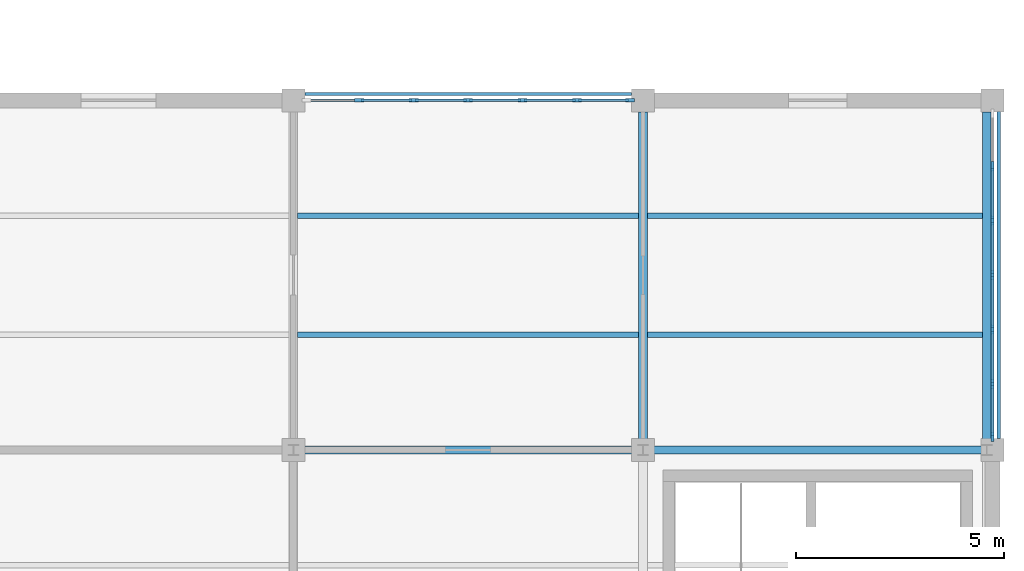
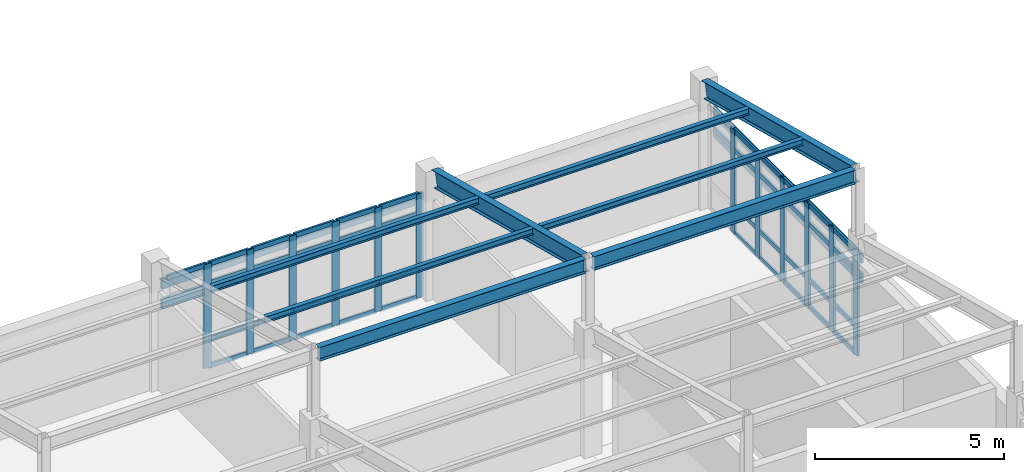
# One storey, part 43 of 74: 61 members, 4 beams, 2 elements without a shape of their own.
"""IFC4 building model written with IfcOpenShell, lengths in metres."""

import ifcopenshell
import ifcopenshell.guid

model = None  # the IFC model being written
_history = None  # IfcOwnerHistory: only IFC2X3 demands one
_inside = {}  # id of a spatial element -> (the spatial element, [elements in it])
_under = {}  # id of a project, library or spatial element -> (it, [spatial elements below it])
_declared = {}  # id of a project -> (the project, [libraries it declares])
_typed = {}  # id of a type object -> (the type object, [elements of that type])
_made_of = {}  # id of a material, layer set ... -> (it, [elements and type objects made of it])


def new_model(schema):
    """Start an empty IFC model of exactly this schema.

    Asked for "IFC4X3", IfcOpenShell would pick the latest addendum, in which some entities
    have other attributes; the version numbers below select the first issue.
    IFC2X3 requires an IfcOwnerHistory on every rooted entity: one is made here for all.
    """
    global model, _history
    if schema == "IFC4X3":
        model = ifcopenshell.file(schema_version=(4, 3, 0, 0))
    else:
        model = ifcopenshell.file(schema=schema)
    _inside.clear()
    _under.clear()
    _declared.clear()
    _typed.clear()
    _made_of.clear()
    _history = None
    if model.schema == "IFC2X3":
        org = make("IfcOrganization", Name="unknown")
        user = make(
            "IfcPersonAndOrganization",
            ThePerson=make("IfcPerson", FamilyName="unknown"),
            TheOrganization=org,
        )
        app = make(
            "IfcApplication",
            ApplicationDeveloper=org,
            Version="unknown",
            ApplicationFullName="unknown",
            ApplicationIdentifier="unknown",
        )
        _history = make(
            "IfcOwnerHistory",
            OwningUser=user,
            OwningApplication=app,
            ChangeAction="ADDED",
            CreationDate=0,
        )
    return model


def make(cls, **values):
    """One entity of the class cls with the attributes given. An attribute that is None is left unset."""
    return model.create_entity(
        cls, **{name: value for name, value in values.items() if value is not None}
    )


def rooted(cls, **values):
    """An entity with a GlobalId (a new one), such as an element, a storey or a relation."""
    return make(cls, GlobalId=ifcopenshell.guid.new(), OwnerHistory=_history, **values)


def si_unit(unit_type, name, prefix=None):
    """IfcSIUnit, for example si_unit("LENGTHUNIT", "METRE", prefix="MILLI")."""
    return make("IfcSIUnit", UnitType=unit_type, Prefix=prefix, Name=name)


def assignment(units):
    """IfcUnitAssignment: the units of a project."""
    return None if units is None else make("IfcUnitAssignment", Units=units)


def point(xyz):
    """IfcCartesianPoint."""
    return None if xyz is None else make("IfcCartesianPoint", Coordinates=xyz)


def direction(xyz):
    """IfcDirection."""
    return None if xyz is None else make("IfcDirection", DirectionRatios=xyz)


def frame(location, z_axis=None, x_axis=None):
    """IfcAxis2Placement3D, a coordinate frame: its origin and axes. An axis left out is left unset."""
    return make(
        "IfcAxis2Placement3D",
        Location=point(location),
        Axis=direction(z_axis),
        RefDirection=direction(x_axis),
    )


def frame_2d(location, x_axis=None):
    """IfcAxis2Placement2D, a coordinate frame in the plane: its origin and x axis."""
    return make(
        "IfcAxis2Placement2D", Location=point(location), RefDirection=direction(x_axis)
    )


def origin():
    """The frame at (0, 0, 0) with its axes left unset."""
    return frame((0.0, 0.0, 0.0))


def origin_2d():
    """The frame at (0, 0) in the plane with its x axis left unset."""
    return frame_2d((0.0, 0.0))


def place(relative_to, where):
    """IfcLocalPlacement: puts the frame where relative to a parent placement (None: the world)."""
    return make(
        "IfcLocalPlacement", PlacementRelTo=relative_to, RelativePlacement=where
    )


def context(
    kind, dimensions, precision=None, world=None, true_north=None, identifier=None
):
    """IfcGeometricRepresentationContext, for example the 3D "Model" context."""
    return make(
        "IfcGeometricRepresentationContext",
        ContextIdentifier=identifier,
        ContextType=kind,
        CoordinateSpaceDimension=dimensions,
        Precision=precision,
        WorldCoordinateSystem=world,
        TrueNorth=true_north,
    )


def subcontext(parent, identifier, kind, view, scale=None):
    """IfcGeometricRepresentationSubContext, for example "Body" below "Model"."""
    return make(
        "IfcGeometricRepresentationSubContext",
        ContextIdentifier=identifier,
        ContextType=kind,
        ParentContext=parent,
        TargetScale=scale,
        TargetView=view,
    )


def project(units=None, contexts=None):
    """IfcProject with its units and contexts."""
    return rooted(
        "IfcProject",
        Name="project",
        RepresentationContexts=contexts,
        UnitsInContext=assignment(units),
    )


def spatial(cls, under=None, at=None, **own):
    """A site, building, storey or space (cls), placed at a placement, below another one or the project."""
    s = rooted(cls, ObjectPlacement=at, **own)
    if under is not None:
        _under.setdefault(under.id(), (under, []))[1].append(s)
    return s


def profile(cls, at=None, kind="AREA", **sizes):
    """A parametric profile (cls). Its sizes go by their IFC names, for example OverallWidth=200.0."""
    return make(cls, ProfileType=kind, Position=at, **sizes)


def rectangle(**sizes):
    """IfcRectangleProfileDef."""
    return profile("IfcRectangleProfileDef", **sizes)


def i_section(**sizes):
    """IfcIShapeProfileDef."""
    return profile("IfcIShapeProfileDef", **sizes)


def extrude(swept, where, along, depth):
    """IfcExtrudedAreaSolid: the profile swept, set in the frame where, extruded along a direction by depth."""
    return make(
        "IfcExtrudedAreaSolid",
        SweptArea=swept,
        Position=where,
        ExtrudedDirection=direction(along),
        Depth=depth,
    )


def shape(context_of_items, identifier, shape_type, items):
    """IfcShapeRepresentation: the items that make up one representation, for example the "Body"."""
    return make(
        "IfcShapeRepresentation",
        ContextOfItems=context_of_items,
        RepresentationIdentifier=identifier,
        RepresentationType=shape_type,
        Items=items,
    )


def material(Name=None, Category=None):
    """IfcMaterial."""
    return make("IfcMaterial", Name=Name, Category=Category)


def layer(
    of_material, thickness, ventilated=None, Name=None, Category=None, Priority=None
):
    """IfcMaterialLayer: one layer of a wall or slab, of a material (None: an air gap)."""
    return make(
        "IfcMaterialLayer",
        Material=of_material,
        LayerThickness=thickness,
        IsVentilated=ventilated,
        Name=Name,
        Category=Category,
        Priority=Priority,
    )


def layer_set(layers, Name=None):
    """IfcMaterialLayerSet."""
    return make("IfcMaterialLayerSet", MaterialLayers=layers, LayerSetName=Name)


def material_profile(
    of_material, cross_section, Name=None, Category=None, Priority=None
):
    """IfcMaterialProfile: a cross section and its material."""
    return make(
        "IfcMaterialProfile",
        Name=Name,
        Material=of_material,
        Profile=cross_section,
        Priority=Priority,
        Category=Category,
    )


def profile_set(profiles, Name=None, composite=None):
    """IfcMaterialProfileSet."""
    return make(
        "IfcMaterialProfileSet",
        Name=Name,
        MaterialProfiles=profiles,
        CompositeProfile=composite,
    )


def made_of(thing, what):
    """Note that an element or type object is made of a material, layer set ...; save() writes the relation."""
    if what is not None:
        _made_of.setdefault(what.id(), (what, []))[1].append(thing)
    return thing


def type_object(cls, material=None, **own):
    """A type object (cls), such as IfcWallType, which elements share."""
    return made_of(rooted(cls, **own), material)


def element(
    cls,
    number,
    at=None,
    inside=None,
    cuts=None,
    type_object=None,
    material=None,
    context=None,
    identifier="Body",
    shape_type=None,
    held_by="IfcProductDefinitionShape",
    body=None,
    shapes=None,
    **own,
):
    """One element of the class cls, such as IfcWall. Its Tag is "e" and its number.

    at: its placement. inside: the storey or other place that contains it. cuts: it is an
    opening in that element (IfcRelVoidsElement). A single representation is given by context,
    identifier, shape_type and body (its items); several are given by shapes. held_by: the class
    of the entity that holds the representations. save() writes the other relations.
    """
    e = rooted(cls, Tag="e%d" % number, ObjectPlacement=at, **own)
    if body is not None:
        shapes = [shape(context, identifier, shape_type, body)]
    if shapes is not None:
        e.Representation = make(held_by, Representations=shapes)
    if inside is not None:
        _inside.setdefault(inside.id(), (inside, []))[1].append(e)
    if cuts is not None:
        rooted(
            "IfcRelVoidsElement", RelatingBuildingElement=cuts, RelatedOpeningElement=e
        )
    if type_object is not None:
        _typed.setdefault(type_object.id(), (type_object, []))[1].append(e)
    return made_of(e, material)


def aggregate(whole, parts):
    """IfcRelAggregates: a whole, such as a stair, and the parts it consists of."""
    return rooted("IfcRelAggregates", RelatingObject=whole, RelatedObjects=parts)


def save(model, path):
    """Write the relations noted so far, then the file.

    IfcRelAggregates (storeys below a building ...), IfcRelContainedInSpatialStructure (elements
    in a storey), IfcRelDefinesByType, IfcRelAssociatesMaterial and IfcRelDeclares: one each for
    every whole, place, type object, material and project.
    """
    for whole, parts in _under.values():
        aggregate(whole, parts)
    for where, things in _inside.values():
        rooted(
            "IfcRelContainedInSpatialStructure",
            RelatedElements=things,
            RelatingStructure=where,
        )
    for kind, things in _typed.values():
        rooted("IfcRelDefinesByType", RelatedObjects=things, RelatingType=kind)
    for what, things in _made_of.values():
        rooted("IfcRelAssociatesMaterial", RelatedObjects=things, RelatingMaterial=what)
    for by, libraries in _declared.values():
        rooted("IfcRelDeclares", RelatingContext=by, RelatedDefinitions=libraries)
    model.write(path)


model = new_model("IFC4")

# Units and contexts
model_context = context("Model", 3, precision=1e-05, world=origin(), true_north=direction((0.0, 1.0)))
body_context = subcontext(model_context, "Body", "Model", "MODEL_VIEW")
ifc_project = project(units=[si_unit("LENGTHUNIT", "METRE"), si_unit("AREAUNIT", "SQUARE_METRE"), si_unit("VOLUMEUNIT", "CUBIC_METRE"), si_unit("PLANEANGLEUNIT", "RADIAN"), si_unit("MASSUNIT", "GRAM", prefix="KILO")], contexts=[model_context])

# Site, building, storey
site_placement = place(None, origin())
site = spatial("IfcSite", under=ifc_project, at=site_placement, CompositionType="ELEMENT")
building_placement = place(site_placement, origin())
building = spatial("IfcBuilding", under=site, at=building_placement, Name="Porcellanite Civic Hall", CompositionType="ELEMENT")
storey_placement = place(building_placement, frame((0.0, 0.0, 14.760009765625)))
storey = spatial("IfcBuildingStorey", under=building, at=storey_placement, Name="L03", CompositionType="ELEMENT", Elevation=14.760009765625)

# Curtain wall, members
ifc_material_1 = material(Name="Anodised aluminium and solar laminated glass", Category="aluminium")
ifc_layer = layer(ifc_material_1, 0.179931640625)
ifc_layer_set = layer_set([ifc_layer], Name="Anodised aluminium and solar laminated glass")
curtain_wall_type = type_object("IfcCurtainWallType", Name="CW-SYS02", PredefinedType="NOTDEFINED", material=ifc_layer_set)
curtain_wall_1_placement = place(storey_placement, origin())
curtain_wall_1 = element("IfcCurtainWall", 1, at=curtain_wall_1_placement, inside=storey, type_object=curtain_wall_type, Name="Curtain wall CW-227", PredefinedType="NOTDEFINED")
ifc_material_2 = material(Name="Anodised aluminium 6063-T6", Category="aluminium")
ifc_material_profile_1 = material_profile(ifc_material_2, rectangle(XDim=0.074951171875, YDim=0.219970703125, at=origin_2d()), Name="AL-75x220")
ifc_profile_set_1 = profile_set([ifc_material_profile_1], Name="Anodised aluminium 6063-T6")
member_type_1 = type_object("IfcMemberType", Name="CWM-03", PredefinedType="MULLION", material=ifc_profile_set_1)
member_1_placement = place(storey_placement, frame((152.783935546875, 67.199951171875, 0.0), z_axis=(0.0, 0.0, 1.0), x_axis=(0.0, 1.0, 0.0)))
member_1 = element("IfcMember", 2, at=member_1_placement, type_object=member_type_1, Name="CW-227 mullion 2", PredefinedType="MULLION", context=body_context, shape_type="SweptSolid", body=[
    extrude(rectangle(XDim=0.074951171875, YDim=0.219970703125, at=origin_2d()), origin(), (0.0, 0.0, 1.0), 3.369873046875),
])
member_2_placement = place(storey_placement, frame((154.092041015625, 67.199951171875, 0.0), z_axis=(0.0, 0.0, 1.0), x_axis=(0.0, 1.0, 0.0)))
member_2 = element("IfcMember", 3, at=member_2_placement, type_object=member_type_1, Name="CW-227 mullion 3", PredefinedType="MULLION", context=body_context, shape_type="SweptSolid", body=[
    extrude(rectangle(XDim=0.074951171875, YDim=0.219970703125, at=origin_2d()), origin(), (0.0, 0.0, 1.0), 3.369873046875),
])
member_3_placement = place(storey_placement, frame((155.39990234375, 67.199951171875, 0.0), z_axis=(0.0, 0.0, 1.0), x_axis=(0.0, 1.0, 0.0)))
member_3 = element("IfcMember", 4, at=member_3_placement, type_object=member_type_1, Name="CW-227 mullion 4", PredefinedType="MULLION", context=body_context, shape_type="SweptSolid", body=[
    extrude(rectangle(XDim=0.074951171875, YDim=0.219970703125, at=origin_2d()), origin(), (0.0, 0.0, 1.0), 3.369873046875),
])
member_4_placement = place(storey_placement, frame((156.7080078125, 67.199951171875, 0.0), z_axis=(0.0, 0.0, 1.0), x_axis=(0.0, 1.0, 0.0)))
member_4 = element("IfcMember", 5, at=member_4_placement, type_object=member_type_1, Name="CW-227 mullion 5", PredefinedType="MULLION", context=body_context, shape_type="SweptSolid", body=[
    extrude(rectangle(XDim=0.074951171875, YDim=0.219970703125, at=origin_2d()), origin(), (0.0, 0.0, 1.0), 3.369873046875),
])
member_5_placement = place(storey_placement, frame((158.01611328125, 67.199951171875, 0.0), z_axis=(0.0, 0.0, 1.0), x_axis=(0.0, 1.0, 0.0)))
member_5 = element("IfcMember", 6, at=member_5_placement, type_object=member_type_1, Name="CW-227 mullion 6", PredefinedType="MULLION", context=body_context, shape_type="SweptSolid", body=[
    extrude(rectangle(XDim=0.074951171875, YDim=0.219970703125, at=origin_2d()), origin(), (0.0, 0.0, 1.0), 3.369873046875),
])
member_6_placement = place(storey_placement, frame((159.28662109375, 67.199951171875, 0.0), z_axis=(0.0, 0.0, 1.0), x_axis=(0.0, 1.0, 0.0)))
member_6 = element("IfcMember", 7, at=member_6_placement, type_object=member_type_1, Name="CW-227 mullion 7", PredefinedType="MULLION", context=body_context, shape_type="SweptSolid", body=[
    extrude(rectangle(XDim=0.074951171875, YDim=0.219970703125, at=origin_2d()), origin(), (0.0, 0.0, 1.0), 3.369873046875),
])

curtain_wall_2_placement = place(storey_placement, origin())
curtain_wall_2 = element("IfcCurtainWall", 8, at=curtain_wall_2_placement, inside=storey, type_object=curtain_wall_type, Name="Curtain wall CW-228", PredefinedType="NOTDEFINED")
member_7_placement = place(storey_placement, frame((168.0, 65.615966796875, 0.0), z_axis=(0.0, 0.0, 1.0), x_axis=(1.0, 0.0, 0.0)))
member_7 = element("IfcMember", 9, at=member_7_placement, type_object=member_type_1, Name="CW-228 mullion 2", PredefinedType="MULLION", context=body_context, shape_type="SweptSolid", body=[
    extrude(rectangle(XDim=0.074951171875, YDim=0.219970703125, at=origin_2d()), origin(), (0.0, 0.0, 1.0), 3.369873046875),
])
member_8_placement = place(storey_placement, frame((168.0, 64.30810546875, 0.0), z_axis=(0.0, 0.0, 1.0), x_axis=(1.0, 0.0, 0.0)))
member_8 = element("IfcMember", 10, at=member_8_placement, type_object=member_type_1, Name="CW-228 mullion 3", PredefinedType="MULLION", context=body_context, shape_type="SweptSolid", body=[
    extrude(rectangle(XDim=0.074951171875, YDim=0.219970703125, at=origin_2d()), origin(), (0.0, 0.0, 1.0), 3.369873046875),
])
member_9_placement = place(storey_placement, frame((168.0, 63.0, 0.0), z_axis=(0.0, 0.0, 1.0), x_axis=(1.0, 0.0, 0.0)))
member_9 = element("IfcMember", 11, at=member_9_placement, type_object=member_type_1, Name="CW-228 mullion 4", PredefinedType="MULLION", context=body_context, shape_type="SweptSolid", body=[
    extrude(rectangle(XDim=0.074951171875, YDim=0.219970703125, at=origin_2d()), origin(), (0.0, 0.0, 1.0), 3.369873046875),
])
member_10_placement = place(storey_placement, frame((168.0, 61.69189453125, 0.0), z_axis=(0.0, 0.0, 1.0), x_axis=(1.0, 0.0, 0.0)))
member_10 = element("IfcMember", 12, at=member_10_placement, type_object=member_type_1, Name="CW-228 mullion 5", PredefinedType="MULLION", context=body_context, shape_type="SweptSolid", body=[
    extrude(rectangle(XDim=0.074951171875, YDim=0.219970703125, at=origin_2d()), origin(), (0.0, 0.0, 1.0), 3.369873046875),
])
member_11_placement = place(storey_placement, frame((168.0, 60.384033203125, 0.0), z_axis=(0.0, 0.0, 1.0), x_axis=(1.0, 0.0, 0.0)))
member_11 = element("IfcMember", 13, at=member_11_placement, type_object=member_type_1, Name="CW-228 mullion 6", PredefinedType="MULLION", context=body_context, shape_type="SweptSolid", body=[
    extrude(rectangle(XDim=0.074951171875, YDim=0.219970703125, at=origin_2d()), origin(), (0.0, 0.0, 1.0), 3.369873046875),
])
member_12_placement = place(storey_placement, frame((168.0, 59.113525390625, 0.0), z_axis=(0.0, 0.0, 1.0), x_axis=(1.0, 0.0, 0.0)))
member_12 = element("IfcMember", 14, at=member_12_placement, type_object=member_type_1, Name="CW-228 mullion 7", PredefinedType="MULLION", context=body_context, shape_type="SweptSolid", body=[
    extrude(rectangle(XDim=0.074951171875, YDim=0.219970703125, at=origin_2d()), origin(), (0.0, 0.0, 1.0), 3.369873046875),
])

# Member
ifc_material_3 = material(Name="Anodised aluminium 6063-T6", Category="aluminium")
ifc_material_profile_2 = material_profile(ifc_material_3, rectangle(XDim=0.06494140625, YDim=0.14990234375, at=origin_2d()), Name="AL-65x150")
ifc_profile_set_2 = profile_set([ifc_material_profile_2], Name="Anodised aluminium 6063-T6")
member_type_2 = type_object("IfcMemberType", Name="CWT-02", PredefinedType="USERDEFINED", material=ifc_profile_set_2)
member_13_placement = place(storey_placement, frame((151.551025390625, 67.199951171875, 3.33740234375), z_axis=(1.0, 0.0, 0.0), x_axis=(0.0, 1.0, 0.0)))
member_13 = element("IfcMember", 15, at=member_13_placement, type_object=member_type_2, Name="CW-227 transom 1.4", ObjectType="TRANSOM", PredefinedType="USERDEFINED", context=body_context, shape_type="SweptSolid", body=[
    extrude(rectangle(XDim=0.06494140625, YDim=0.14990234375, at=origin_2d()), origin(), (0.0, 0.0, 1.0), 1.195556640625),
])

member_14_placement = place(storey_placement, frame((152.821533203125, 67.199951171875, 0.032470703125), z_axis=(1.0, 0.0, 0.0), x_axis=(0.0, 1.0, 0.0)))
member_14 = element("IfcMember", 16, at=member_14_placement, type_object=member_type_2, Name="CW-227 transom 2.1", ObjectType="TRANSOM", PredefinedType="USERDEFINED", context=body_context, shape_type="SweptSolid", body=[
    extrude(rectangle(XDim=0.06494140625, YDim=0.14990234375, at=origin_2d()), origin(), (0.0, 0.0, 1.0), 1.23291015625),
])

member_15_placement = place(storey_placement, frame((152.821533203125, 67.199951171875, 0.89990234375), z_axis=(1.0, 0.0, 0.0), x_axis=(0.0, 1.0, 0.0)))
member_15 = element("IfcMember", 17, at=member_15_placement, type_object=member_type_2, Name="CW-227 transom 2.2", ObjectType="TRANSOM", PredefinedType="USERDEFINED", context=body_context, shape_type="SweptSolid", body=[
    extrude(rectangle(XDim=0.06494140625, YDim=0.14990234375, at=origin_2d()), origin(), (0.0, 0.0, 1.0), 1.23291015625),
])

member_16_placement = place(storey_placement, frame((152.821533203125, 67.199951171875, 2.719970703125), z_axis=(1.0, 0.0, 0.0), x_axis=(0.0, 1.0, 0.0)))
member_16 = element("IfcMember", 18, at=member_16_placement, type_object=member_type_2, Name="CW-227 transom 2.3", ObjectType="TRANSOM", PredefinedType="USERDEFINED", context=body_context, shape_type="SweptSolid", body=[
    extrude(rectangle(XDim=0.06494140625, YDim=0.14990234375, at=origin_2d()), origin(), (0.0, 0.0, 1.0), 1.23291015625),
])

member_17_placement = place(storey_placement, frame((152.821533203125, 67.199951171875, 3.33740234375), z_axis=(1.0, 0.0, 0.0), x_axis=(0.0, 1.0, 0.0)))
member_17 = element("IfcMember", 19, at=member_17_placement, type_object=member_type_2, Name="CW-227 transom 2.4", ObjectType="TRANSOM", PredefinedType="USERDEFINED", context=body_context, shape_type="SweptSolid", body=[
    extrude(rectangle(XDim=0.06494140625, YDim=0.14990234375, at=origin_2d()), origin(), (0.0, 0.0, 1.0), 1.23291015625),
])

member_18_placement = place(storey_placement, frame((154.12939453125, 67.199951171875, 0.032470703125), z_axis=(1.0, 0.0, 0.0), x_axis=(0.0, 1.0, 0.0)))
member_18 = element("IfcMember", 20, at=member_18_placement, type_object=member_type_2, Name="CW-227 transom 3.1", ObjectType="TRANSOM", PredefinedType="USERDEFINED", context=body_context, shape_type="SweptSolid", body=[
    extrude(rectangle(XDim=0.06494140625, YDim=0.14990234375, at=origin_2d()), origin(), (0.0, 0.0, 1.0), 1.233154296875),
])

member_19_placement = place(storey_placement, frame((154.12939453125, 67.199951171875, 0.89990234375), z_axis=(1.0, 0.0, 0.0), x_axis=(0.0, 1.0, 0.0)))
member_19 = element("IfcMember", 21, at=member_19_placement, type_object=member_type_2, Name="CW-227 transom 3.2", ObjectType="TRANSOM", PredefinedType="USERDEFINED", context=body_context, shape_type="SweptSolid", body=[
    extrude(rectangle(XDim=0.06494140625, YDim=0.14990234375, at=origin_2d()), origin(), (0.0, 0.0, 1.0), 1.233154296875),
])

member_20_placement = place(storey_placement, frame((154.12939453125, 67.199951171875, 2.719970703125), z_axis=(1.0, 0.0, 0.0), x_axis=(0.0, 1.0, 0.0)))
member_20 = element("IfcMember", 22, at=member_20_placement, type_object=member_type_2, Name="CW-227 transom 3.3", ObjectType="TRANSOM", PredefinedType="USERDEFINED", context=body_context, shape_type="SweptSolid", body=[
    extrude(rectangle(XDim=0.06494140625, YDim=0.14990234375, at=origin_2d()), origin(), (0.0, 0.0, 1.0), 1.233154296875),
])

member_21_placement = place(storey_placement, frame((154.12939453125, 67.199951171875, 3.33740234375), z_axis=(1.0, 0.0, 0.0), x_axis=(0.0, 1.0, 0.0)))
member_21 = element("IfcMember", 23, at=member_21_placement, type_object=member_type_2, Name="CW-227 transom 3.4", ObjectType="TRANSOM", PredefinedType="USERDEFINED", context=body_context, shape_type="SweptSolid", body=[
    extrude(rectangle(XDim=0.06494140625, YDim=0.14990234375, at=origin_2d()), origin(), (0.0, 0.0, 1.0), 1.233154296875),
])

member_22_placement = place(storey_placement, frame((155.4375, 67.199951171875, 0.032470703125), z_axis=(1.0, 0.0, 0.0), x_axis=(0.0, 1.0, 0.0)))
member_22 = element("IfcMember", 24, at=member_22_placement, type_object=member_type_2, Name="CW-227 transom 4.1", ObjectType="TRANSOM", PredefinedType="USERDEFINED", context=body_context, shape_type="SweptSolid", body=[
    extrude(rectangle(XDim=0.06494140625, YDim=0.14990234375, at=origin_2d()), origin(), (0.0, 0.0, 1.0), 1.23291015625),
])

member_23_placement = place(storey_placement, frame((155.4375, 67.199951171875, 0.89990234375), z_axis=(1.0, 0.0, 0.0), x_axis=(0.0, 1.0, 0.0)))
member_23 = element("IfcMember", 25, at=member_23_placement, type_object=member_type_2, Name="CW-227 transom 4.2", ObjectType="TRANSOM", PredefinedType="USERDEFINED", context=body_context, shape_type="SweptSolid", body=[
    extrude(rectangle(XDim=0.06494140625, YDim=0.14990234375, at=origin_2d()), origin(), (0.0, 0.0, 1.0), 1.23291015625),
])

member_24_placement = place(storey_placement, frame((155.4375, 67.199951171875, 2.719970703125), z_axis=(1.0, 0.0, 0.0), x_axis=(0.0, 1.0, 0.0)))
member_24 = element("IfcMember", 26, at=member_24_placement, type_object=member_type_2, Name="CW-227 transom 4.3", ObjectType="TRANSOM", PredefinedType="USERDEFINED", context=body_context, shape_type="SweptSolid", body=[
    extrude(rectangle(XDim=0.06494140625, YDim=0.14990234375, at=origin_2d()), origin(), (0.0, 0.0, 1.0), 1.23291015625),
])

member_25_placement = place(storey_placement, frame((155.4375, 67.199951171875, 3.33740234375), z_axis=(1.0, 0.0, 0.0), x_axis=(0.0, 1.0, 0.0)))
member_25 = element("IfcMember", 27, at=member_25_placement, type_object=member_type_2, Name="CW-227 transom 4.4", ObjectType="TRANSOM", PredefinedType="USERDEFINED", context=body_context, shape_type="SweptSolid", body=[
    extrude(rectangle(XDim=0.06494140625, YDim=0.14990234375, at=origin_2d()), origin(), (0.0, 0.0, 1.0), 1.23291015625),
])

member_26_placement = place(storey_placement, frame((156.74560546875, 67.199951171875, 0.032470703125), z_axis=(1.0, 0.0, 0.0), x_axis=(0.0, 1.0, 0.0)))
member_26 = element("IfcMember", 28, at=member_26_placement, type_object=member_type_2, Name="CW-227 transom 5.1", ObjectType="TRANSOM", PredefinedType="USERDEFINED", context=body_context, shape_type="SweptSolid", body=[
    extrude(rectangle(XDim=0.06494140625, YDim=0.14990234375, at=origin_2d()), origin(), (0.0, 0.0, 1.0), 1.23291015625),
])

member_27_placement = place(storey_placement, frame((156.74560546875, 67.199951171875, 0.89990234375), z_axis=(1.0, 0.0, 0.0), x_axis=(0.0, 1.0, 0.0)))
member_27 = element("IfcMember", 29, at=member_27_placement, type_object=member_type_2, Name="CW-227 transom 5.2", ObjectType="TRANSOM", PredefinedType="USERDEFINED", context=body_context, shape_type="SweptSolid", body=[
    extrude(rectangle(XDim=0.06494140625, YDim=0.14990234375, at=origin_2d()), origin(), (0.0, 0.0, 1.0), 1.23291015625),
])

member_28_placement = place(storey_placement, frame((156.74560546875, 67.199951171875, 2.719970703125), z_axis=(1.0, 0.0, 0.0), x_axis=(0.0, 1.0, 0.0)))
member_28 = element("IfcMember", 30, at=member_28_placement, type_object=member_type_2, Name="CW-227 transom 5.3", ObjectType="TRANSOM", PredefinedType="USERDEFINED", context=body_context, shape_type="SweptSolid", body=[
    extrude(rectangle(XDim=0.06494140625, YDim=0.14990234375, at=origin_2d()), origin(), (0.0, 0.0, 1.0), 1.23291015625),
])

member_29_placement = place(storey_placement, frame((156.74560546875, 67.199951171875, 3.33740234375), z_axis=(1.0, 0.0, 0.0), x_axis=(0.0, 1.0, 0.0)))
member_29 = element("IfcMember", 31, at=member_29_placement, type_object=member_type_2, Name="CW-227 transom 5.4", ObjectType="TRANSOM", PredefinedType="USERDEFINED", context=body_context, shape_type="SweptSolid", body=[
    extrude(rectangle(XDim=0.06494140625, YDim=0.14990234375, at=origin_2d()), origin(), (0.0, 0.0, 1.0), 1.23291015625),
])

member_30_placement = place(storey_placement, frame((158.053466796875, 67.199951171875, 0.032470703125), z_axis=(1.0, 0.0, 0.0), x_axis=(0.0, 1.0, 0.0)))
member_30 = element("IfcMember", 32, at=member_30_placement, type_object=member_type_2, Name="CW-227 transom 6.1", ObjectType="TRANSOM", PredefinedType="USERDEFINED", context=body_context, shape_type="SweptSolid", body=[
    extrude(rectangle(XDim=0.06494140625, YDim=0.14990234375, at=origin_2d()), origin(), (0.0, 0.0, 1.0), 1.195556640625),
])

member_31_placement = place(storey_placement, frame((158.053466796875, 67.199951171875, 0.89990234375), z_axis=(1.0, 0.0, 0.0), x_axis=(0.0, 1.0, 0.0)))
member_31 = element("IfcMember", 33, at=member_31_placement, type_object=member_type_2, Name="CW-227 transom 6.2", ObjectType="TRANSOM", PredefinedType="USERDEFINED", context=body_context, shape_type="SweptSolid", body=[
    extrude(rectangle(XDim=0.06494140625, YDim=0.14990234375, at=origin_2d()), origin(), (0.0, 0.0, 1.0), 1.195556640625),
])

member_32_placement = place(storey_placement, frame((158.053466796875, 67.199951171875, 2.719970703125), z_axis=(1.0, 0.0, 0.0), x_axis=(0.0, 1.0, 0.0)))
member_32 = element("IfcMember", 34, at=member_32_placement, type_object=member_type_2, Name="CW-227 transom 6.3", ObjectType="TRANSOM", PredefinedType="USERDEFINED", context=body_context, shape_type="SweptSolid", body=[
    extrude(rectangle(XDim=0.06494140625, YDim=0.14990234375, at=origin_2d()), origin(), (0.0, 0.0, 1.0), 1.195556640625),
])

member_33_placement = place(storey_placement, frame((158.053466796875, 67.199951171875, 3.33740234375), z_axis=(1.0, 0.0, 0.0), x_axis=(0.0, 1.0, 0.0)))
member_33 = element("IfcMember", 35, at=member_33_placement, type_object=member_type_2, Name="CW-227 transom 6.4", ObjectType="TRANSOM", PredefinedType="USERDEFINED", context=body_context, shape_type="SweptSolid", body=[
    extrude(rectangle(XDim=0.06494140625, YDim=0.14990234375, at=origin_2d()), origin(), (0.0, 0.0, 1.0), 1.195556640625),
])

aggregate(curtain_wall_1, [member_1, member_2, member_3, member_4, member_5, member_6, member_13, member_14, member_15, member_16, member_17, member_18, member_19, member_20, member_21, member_22, member_23, member_24, member_25, member_26, member_27, member_28, member_29, member_30, member_31, member_32, member_33])

member_34_placement = place(storey_placement, frame((168.0, 65.57861328125, 0.032470703125), z_axis=(0.0, -1.0, 0.0), x_axis=(1.0, 0.0, 0.0)))
member_34 = element("IfcMember", 36, at=member_34_placement, type_object=member_type_2, Name="CW-228 transom 2.1", ObjectType="TRANSOM", PredefinedType="USERDEFINED", context=body_context, shape_type="SweptSolid", body=[
    extrude(rectangle(XDim=0.06494140625, YDim=0.14990234375, at=origin_2d()), origin(), (0.0, 0.0, 1.0), 1.233154296875),
])

member_35_placement = place(storey_placement, frame((168.0, 65.57861328125, 0.89990234375), z_axis=(0.0, -1.0, 0.0), x_axis=(1.0, 0.0, 0.0)))
member_35 = element("IfcMember", 37, at=member_35_placement, type_object=member_type_2, Name="CW-228 transom 2.2", ObjectType="TRANSOM", PredefinedType="USERDEFINED", context=body_context, shape_type="SweptSolid", body=[
    extrude(rectangle(XDim=0.06494140625, YDim=0.14990234375, at=origin_2d()), origin(), (0.0, 0.0, 1.0), 1.233154296875),
])

member_36_placement = place(storey_placement, frame((168.0, 65.57861328125, 2.719970703125), z_axis=(0.0, -1.0, 0.0), x_axis=(1.0, 0.0, 0.0)))
member_36 = element("IfcMember", 38, at=member_36_placement, type_object=member_type_2, Name="CW-228 transom 2.3", ObjectType="TRANSOM", PredefinedType="USERDEFINED", context=body_context, shape_type="SweptSolid", body=[
    extrude(rectangle(XDim=0.06494140625, YDim=0.14990234375, at=origin_2d()), origin(), (0.0, 0.0, 1.0), 1.233154296875),
])

member_37_placement = place(storey_placement, frame((168.0, 65.57861328125, 3.33740234375), z_axis=(0.0, -1.0, 0.0), x_axis=(1.0, 0.0, 0.0)))
member_37 = element("IfcMember", 39, at=member_37_placement, type_object=member_type_2, Name="CW-228 transom 2.4", ObjectType="TRANSOM", PredefinedType="USERDEFINED", context=body_context, shape_type="SweptSolid", body=[
    extrude(rectangle(XDim=0.06494140625, YDim=0.14990234375, at=origin_2d()), origin(), (0.0, 0.0, 1.0), 1.233154296875),
])

member_38_placement = place(storey_placement, frame((168.0, 64.2705078125, 0.032470703125), z_axis=(0.0, -1.0, 0.0), x_axis=(1.0, 0.0, 0.0)))
member_38 = element("IfcMember", 40, at=member_38_placement, type_object=member_type_2, Name="CW-228 transom 3.1", ObjectType="TRANSOM", PredefinedType="USERDEFINED", context=body_context, shape_type="SweptSolid", body=[
    extrude(rectangle(XDim=0.06494140625, YDim=0.14990234375, at=origin_2d()), origin(), (0.0, 0.0, 1.0), 1.23291015625),
])

member_39_placement = place(storey_placement, frame((168.0, 64.2705078125, 0.89990234375), z_axis=(0.0, -1.0, 0.0), x_axis=(1.0, 0.0, 0.0)))
member_39 = element("IfcMember", 41, at=member_39_placement, type_object=member_type_2, Name="CW-228 transom 3.2", ObjectType="TRANSOM", PredefinedType="USERDEFINED", context=body_context, shape_type="SweptSolid", body=[
    extrude(rectangle(XDim=0.06494140625, YDim=0.14990234375, at=origin_2d()), origin(), (0.0, 0.0, 1.0), 1.23291015625),
])

member_40_placement = place(storey_placement, frame((168.0, 64.2705078125, 2.719970703125), z_axis=(0.0, -1.0, 0.0), x_axis=(1.0, 0.0, 0.0)))
member_40 = element("IfcMember", 42, at=member_40_placement, type_object=member_type_2, Name="CW-228 transom 3.3", ObjectType="TRANSOM", PredefinedType="USERDEFINED", context=body_context, shape_type="SweptSolid", body=[
    extrude(rectangle(XDim=0.06494140625, YDim=0.14990234375, at=origin_2d()), origin(), (0.0, 0.0, 1.0), 1.23291015625),
])

member_41_placement = place(storey_placement, frame((168.0, 64.2705078125, 3.33740234375), z_axis=(0.0, -1.0, 0.0), x_axis=(1.0, 0.0, 0.0)))
member_41 = element("IfcMember", 43, at=member_41_placement, type_object=member_type_2, Name="CW-228 transom 3.4", ObjectType="TRANSOM", PredefinedType="USERDEFINED", context=body_context, shape_type="SweptSolid", body=[
    extrude(rectangle(XDim=0.06494140625, YDim=0.14990234375, at=origin_2d()), origin(), (0.0, 0.0, 1.0), 1.23291015625),
])

member_42_placement = place(storey_placement, frame((168.0, 62.96240234375, 0.032470703125), z_axis=(0.0, -1.0, 0.0), x_axis=(1.0, 0.0, 0.0)))
member_42 = element("IfcMember", 44, at=member_42_placement, type_object=member_type_2, Name="CW-228 transom 4.1", ObjectType="TRANSOM", PredefinedType="USERDEFINED", context=body_context, shape_type="SweptSolid", body=[
    extrude(rectangle(XDim=0.06494140625, YDim=0.14990234375, at=origin_2d()), origin(), (0.0, 0.0, 1.0), 1.23291015625),
])

member_43_placement = place(storey_placement, frame((168.0, 62.96240234375, 0.89990234375), z_axis=(0.0, -1.0, 0.0), x_axis=(1.0, 0.0, 0.0)))
member_43 = element("IfcMember", 45, at=member_43_placement, type_object=member_type_2, Name="CW-228 transom 4.2", ObjectType="TRANSOM", PredefinedType="USERDEFINED", context=body_context, shape_type="SweptSolid", body=[
    extrude(rectangle(XDim=0.06494140625, YDim=0.14990234375, at=origin_2d()), origin(), (0.0, 0.0, 1.0), 1.23291015625),
])

member_44_placement = place(storey_placement, frame((168.0, 62.96240234375, 2.719970703125), z_axis=(0.0, -1.0, 0.0), x_axis=(1.0, 0.0, 0.0)))
member_44 = element("IfcMember", 46, at=member_44_placement, type_object=member_type_2, Name="CW-228 transom 4.3", ObjectType="TRANSOM", PredefinedType="USERDEFINED", context=body_context, shape_type="SweptSolid", body=[
    extrude(rectangle(XDim=0.06494140625, YDim=0.14990234375, at=origin_2d()), origin(), (0.0, 0.0, 1.0), 1.23291015625),
])

member_45_placement = place(storey_placement, frame((168.0, 62.96240234375, 3.33740234375), z_axis=(0.0, -1.0, 0.0), x_axis=(1.0, 0.0, 0.0)))
member_45 = element("IfcMember", 47, at=member_45_placement, type_object=member_type_2, Name="CW-228 transom 4.4", ObjectType="TRANSOM", PredefinedType="USERDEFINED", context=body_context, shape_type="SweptSolid", body=[
    extrude(rectangle(XDim=0.06494140625, YDim=0.14990234375, at=origin_2d()), origin(), (0.0, 0.0, 1.0), 1.23291015625),
])

member_46_placement = place(storey_placement, frame((168.0, 61.654541015625, 0.032470703125), z_axis=(0.0, -1.0, 0.0), x_axis=(1.0, 0.0, 0.0)))
member_46 = element("IfcMember", 48, at=member_46_placement, type_object=member_type_2, Name="CW-228 transom 5.1", ObjectType="TRANSOM", PredefinedType="USERDEFINED", context=body_context, shape_type="SweptSolid", body=[
    extrude(rectangle(XDim=0.06494140625, YDim=0.14990234375, at=origin_2d()), origin(), (0.0, 0.0, 1.0), 1.233154296875),
])

member_47_placement = place(storey_placement, frame((168.0, 61.654541015625, 0.89990234375), z_axis=(0.0, -1.0, 0.0), x_axis=(1.0, 0.0, 0.0)))
member_47 = element("IfcMember", 49, at=member_47_placement, type_object=member_type_2, Name="CW-228 transom 5.2", ObjectType="TRANSOM", PredefinedType="USERDEFINED", context=body_context, shape_type="SweptSolid", body=[
    extrude(rectangle(XDim=0.06494140625, YDim=0.14990234375, at=origin_2d()), origin(), (0.0, 0.0, 1.0), 1.233154296875),
])

member_48_placement = place(storey_placement, frame((168.0, 61.654541015625, 2.719970703125), z_axis=(0.0, -1.0, 0.0), x_axis=(1.0, 0.0, 0.0)))
member_48 = element("IfcMember", 50, at=member_48_placement, type_object=member_type_2, Name="CW-228 transom 5.3", ObjectType="TRANSOM", PredefinedType="USERDEFINED", context=body_context, shape_type="SweptSolid", body=[
    extrude(rectangle(XDim=0.06494140625, YDim=0.14990234375, at=origin_2d()), origin(), (0.0, 0.0, 1.0), 1.233154296875),
])

member_49_placement = place(storey_placement, frame((168.0, 61.654541015625, 3.33740234375), z_axis=(0.0, -1.0, 0.0), x_axis=(1.0, 0.0, 0.0)))
member_49 = element("IfcMember", 51, at=member_49_placement, type_object=member_type_2, Name="CW-228 transom 5.4", ObjectType="TRANSOM", PredefinedType="USERDEFINED", context=body_context, shape_type="SweptSolid", body=[
    extrude(rectangle(XDim=0.06494140625, YDim=0.14990234375, at=origin_2d()), origin(), (0.0, 0.0, 1.0), 1.233154296875),
])

member_50_placement = place(storey_placement, frame((168.0, 60.346435546875, 0.032470703125), z_axis=(0.0, -1.0, 0.0), x_axis=(1.0, 0.0, 0.0)))
member_50 = element("IfcMember", 52, at=member_50_placement, type_object=member_type_2, Name="CW-228 transom 6.1", ObjectType="TRANSOM", PredefinedType="USERDEFINED", context=body_context, shape_type="SweptSolid", body=[
    extrude(rectangle(XDim=0.06494140625, YDim=0.14990234375, at=origin_2d()), origin(), (0.0, 0.0, 1.0), 1.195556640625),
])

member_51_placement = place(storey_placement, frame((168.0, 60.346435546875, 0.89990234375), z_axis=(0.0, -1.0, 0.0), x_axis=(1.0, 0.0, 0.0)))
member_51 = element("IfcMember", 53, at=member_51_placement, type_object=member_type_2, Name="CW-228 transom 6.2", ObjectType="TRANSOM", PredefinedType="USERDEFINED", context=body_context, shape_type="SweptSolid", body=[
    extrude(rectangle(XDim=0.06494140625, YDim=0.14990234375, at=origin_2d()), origin(), (0.0, 0.0, 1.0), 1.195556640625),
])

member_52_placement = place(storey_placement, frame((168.0, 60.346435546875, 2.719970703125), z_axis=(0.0, -1.0, 0.0), x_axis=(1.0, 0.0, 0.0)))
member_52 = element("IfcMember", 54, at=member_52_placement, type_object=member_type_2, Name="CW-228 transom 6.3", ObjectType="TRANSOM", PredefinedType="USERDEFINED", context=body_context, shape_type="SweptSolid", body=[
    extrude(rectangle(XDim=0.06494140625, YDim=0.14990234375, at=origin_2d()), origin(), (0.0, 0.0, 1.0), 1.195556640625),
])

member_53_placement = place(storey_placement, frame((168.0, 60.346435546875, 3.33740234375), z_axis=(0.0, -1.0, 0.0), x_axis=(1.0, 0.0, 0.0)))
member_53 = element("IfcMember", 55, at=member_53_placement, type_object=member_type_2, Name="CW-228 transom 6.4", ObjectType="TRANSOM", PredefinedType="USERDEFINED", context=body_context, shape_type="SweptSolid", body=[
    extrude(rectangle(XDim=0.06494140625, YDim=0.14990234375, at=origin_2d()), origin(), (0.0, 0.0, 1.0), 1.195556640625),
])

aggregate(curtain_wall_2, [member_7, member_8, member_9, member_10, member_11, member_12, member_34, member_35, member_36, member_37, member_38, member_39, member_40, member_41, member_42, member_43, member_44, member_45, member_46, member_47, member_48, member_49, member_50, member_51, member_52, member_53])

# Members
ifc_material_4 = material(Name="Fluoropolymer bauxite-red aluminium 6063-T6", Category="aluminium")
ifc_material_profile_3 = material_profile(ifc_material_4, rectangle(XDim=0.080078125, YDim=0.320068359375, at=origin_2d()), Name="AL-80x320")
ifc_profile_set_3 = profile_set([ifc_material_profile_3], Name="Fluoropolymer bauxite-red aluminium 6063-T6")
member_type_3 = type_object("IfcMemberType", Name="LV-BLD03", PredefinedType="USERDEFINED", material=ifc_profile_set_3)
for number, where, z_axis, x_axis, name in (
    (56, (151.474609375, 67.35205078125, 3.070068359375), (1.0, 0.0, 0.0), (0.0, 1.0, 0.0), "Cyclone sunshade louvre L03 N 18-7 1"),
    (57, (151.474609375, 67.35205078125, 2.419921875), (1.0, 0.0, 0.0), (0.0, 1.0, 0.0), "Cyclone sunshade louvre L03 N 18-7 2"),
):
    element("IfcMember", number, at=place(storey_placement, frame(where, z_axis=z_axis, x_axis=x_axis)), inside=storey, type_object=member_type_3, Name=name, ObjectType="LOUVRE BLADE", PredefinedType="USERDEFINED", context=body_context, shape_type="SweptSolid", body=[
        extrude(rectangle(XDim=0.080078125, YDim=0.320068359375, at=origin_2d()), origin(), (0.0, 0.0, 1.0), 7.850830078125),
    ])
for number, where, z_axis, x_axis, name in (
    (58, (168.152099609375, 66.925537109375, 3.070068359375), (0.0, -1.0, 0.0), (1.0, 0.0, 0.0), "Cyclone sunshade louvre L03 E 19-7 1"),
    (59, (168.152099609375, 66.925537109375, 2.419921875), (0.0, -1.0, 0.0), (1.0, 0.0, 0.0), "Cyclone sunshade louvre L03 E 19-7 2"),
):
    element("IfcMember", number, at=place(storey_placement, frame(where, z_axis=z_axis, x_axis=x_axis)), inside=storey, type_object=member_type_3, Name=name, ObjectType="LOUVRE BLADE", PredefinedType="USERDEFINED", context=body_context, shape_type="SweptSolid", body=[
        extrude(rectangle(XDim=0.080078125, YDim=0.320068359375, at=origin_2d()), origin(), (0.0, 0.0, 1.0), 7.85107421875),
    ])
ifc_material_5 = material(Name="Steel Grade 350", Category="steel")
ifc_material_profile_4 = material_profile(ifc_material_5, i_section(OverallWidth=0.133056640625, OverallDepth=0.202880859375, WebThickness=0.005859375, FlangeThickness=0.0078125, FilletRadius=0.0087890625, at=origin_2d()), Name="200UB25.4")
ifc_profile_set_4 = profile_set([ifc_material_profile_4], Name="Steel Grade 350")
member_type_4 = type_object("IfcMemberType", Name="PUR-200UB25", PredefinedType="PURLIN", material=ifc_profile_set_4)
for number, where, z_axis, x_axis, name in (
    (60, (151.304931640625, 61.572021484375, 5.492919921875), (1.0, 0.0, 0.0), (0.0, 1.0, 0.0), "Library sawtooth purlin 18-7"),
    (61, (151.304931640625, 64.427978515625, 4.75439453125), (1.0, 0.0, 0.0), (0.0, 1.0, 0.0), "Library sawtooth purlin 18-7"),
):
    element("IfcMember", number, at=place(storey_placement, frame(where, z_axis=z_axis, x_axis=x_axis)), inside=storey, type_object=member_type_4, Name=name, PredefinedType="PURLIN", context=body_context, shape_type="SweptSolid", body=[
        extrude(i_section(OverallWidth=0.133056640625, OverallDepth=0.202880859375, WebThickness=0.005859375, FlangeThickness=0.0078125, FilletRadius=0.0087890625, at=origin_2d()), origin(), (0.0, 0.0, 1.0), 8.190185546875),
    ])
for number, where, z_axis, x_axis, name in (
    (62, (159.705078125, 61.572021484375, 5.492919921875), (1.0, 0.0, 0.0), (0.0, 1.0, 0.0), "Library sawtooth purlin 19-7"),
    (63, (159.705078125, 64.427978515625, 4.75439453125), (1.0, 0.0, 0.0), (0.0, 1.0, 0.0), "Library sawtooth purlin 19-7"),
):
    element("IfcMember", number, at=place(storey_placement, frame(where, z_axis=z_axis, x_axis=x_axis)), inside=storey, type_object=member_type_4, Name=name, PredefinedType="PURLIN", context=body_context, shape_type="SweptSolid", body=[
        extrude(i_section(OverallWidth=0.133056640625, OverallDepth=0.202880859375, WebThickness=0.005859375, FlangeThickness=0.0078125, FilletRadius=0.0087890625, at=origin_2d()), origin(), (0.0, 0.0, 1.0), 8.0498046875),
    ])

# Beams
ifc_material_6 = material(Name="Steel Grade 350", Category="steel")
ifc_material_profile_5 = material_profile(ifc_material_6, i_section(OverallWidth=0.18994140625, OverallDepth=0.4541015625, WebThickness=0.008544921875, FlangeThickness=0.0126953125, FilletRadius=0.011474609375, at=origin_2d()), Name="460UB67.1")
ifc_profile_set_5 = profile_set([ifc_material_profile_5], Name="Steel Grade 350")
beam_type_1 = type_object("IfcBeamType", Name="RAF-460UB67", PredefinedType="BEAM", material=ifc_profile_set_5)
beam_1_placement = place(storey_placement, frame((151.326416015625, 58.800048828125, 6.069580078125), z_axis=(1.0, 0.0, 0.0), x_axis=(0.0, 1.0, 0.0)))
element("IfcBeam", 64, at=beam_1_placement, inside=storey, type_object=beam_type_1, Name="Library sawtooth ridge beam 18-7", PredefinedType="BEAM", context=body_context, shape_type="SweptSolid", body=[
    extrude(i_section(OverallWidth=0.18994140625, OverallDepth=0.4541015625, WebThickness=0.008544921875, FlangeThickness=0.0126953125, FilletRadius=0.011474609375, at=origin_2d()), origin(), (0.0, 0.0, 1.0), 8.14697265625),
])
beam_2_placement = place(storey_placement, frame((159.7265625, 58.800048828125, 6.069580078125), z_axis=(1.0, 0.0, 0.0), x_axis=(0.0, 1.0, 0.0)))
element("IfcBeam", 65, at=beam_2_placement, inside=storey, type_object=beam_type_1, Name="Library sawtooth ridge beam 19-7", PredefinedType="BEAM", context=body_context, shape_type="SweptSolid", body=[
    extrude(i_section(OverallWidth=0.18994140625, OverallDepth=0.4541015625, WebThickness=0.008544921875, FlangeThickness=0.0126953125, FilletRadius=0.011474609375, at=origin_2d()), origin(), (0.0, 0.0, 1.0), 8.0068359375),
])
ifc_material_7 = material(Name="Steel Grade 350", Category="steel")
ifc_material_profile_6 = material_profile(ifc_material_7, i_section(OverallWidth=0.208984375, OverallDepth=0.532958984375, WebThickness=0.01025390625, FlangeThickness=0.015625, FilletRadius=0.013916015625, at=origin_2d()), Name="530UB92.4")
ifc_profile_set_6 = profile_set([ifc_material_profile_6], Name="Steel Grade 350")
beam_type_2 = type_object("IfcBeamType", Name="RAF-530UB92", PredefinedType="BEAM", material=ifc_profile_set_6)
for number, where, z_axis, x_axis, name in (
    (66, (159.60009765625, 58.927001953125, 6.003173828125), (0.0, 0.968147036294, -0.250382339864), (-1.0, 0.0, 0.0), "Library sawtooth rafter 19-7"),
    (67, (167.860107421875, 58.927001953125, 6.003173828125), (0.0, 0.968147036294, -0.250382339864), (-1.0, 0.0, 0.0), "Library sawtooth rafter 20-7"),
):
    element("IfcBeam", number, at=place(storey_placement, frame(where, z_axis=z_axis, x_axis=x_axis)), inside=storey, type_object=beam_type_2, Name=name, PredefinedType="BEAM", context=body_context, shape_type="SweptSolid", body=[
        extrude(i_section(OverallWidth=0.208984375, OverallDepth=0.532958984375, WebThickness=0.01025390625, FlangeThickness=0.015625, FilletRadius=0.013916015625, at=origin_2d()), origin(), (0.0, 0.0, 1.0), 8.183837890625),
    ])

save(model, "model.ifc")
